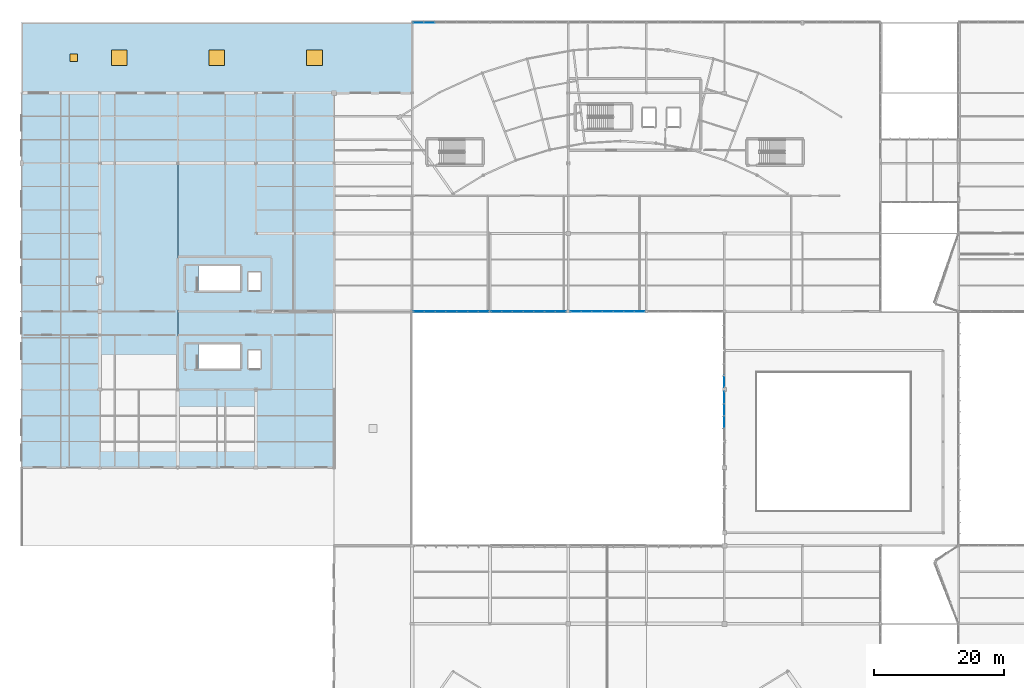
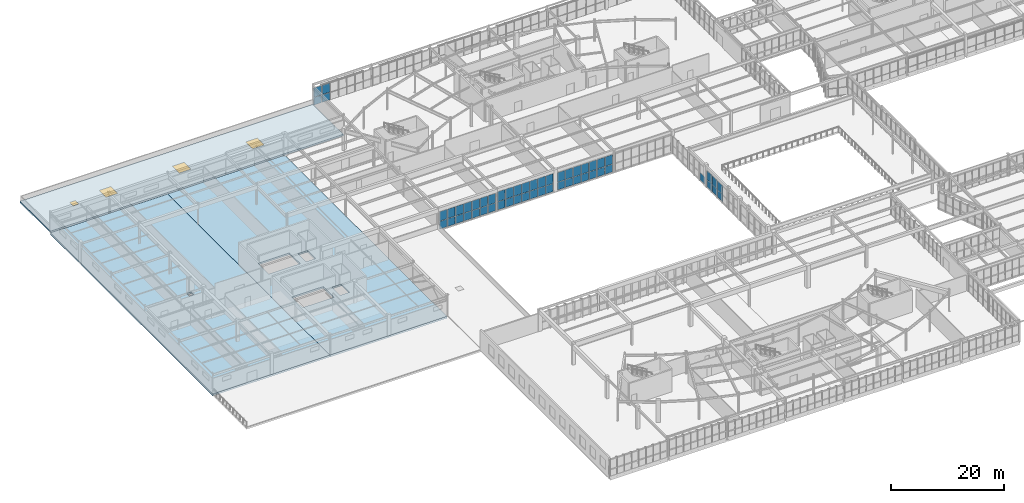
# One storey, part 116 of 186: 53 plates, 3 slabs, 3 windows, 1 door, 4 openings, 6 elements without a shape of their own.
"""IFC4 building model written with IfcOpenShell, lengths in metres."""

from ifc_helpers import new_model, si_unit, direction, frame, origin, origin_2d, place, context, subcontext, project, spatial, polyline, rectangle, outline, extrude, material, layer, layer_set, type_object, element, fill, aggregate, save


model = new_model("IFC4")

# Units and contexts
model_context = context("Model", 3, precision=1e-05, world=origin(), true_north=direction((0.0, 1.0)))
body_context = subcontext(model_context, "Body", "Model", "MODEL_VIEW")
ifc_project = project(units=[si_unit("LENGTHUNIT", "METRE"), si_unit("AREAUNIT", "SQUARE_METRE"), si_unit("VOLUMEUNIT", "CUBIC_METRE"), si_unit("PLANEANGLEUNIT", "RADIAN"), si_unit("MASSUNIT", "GRAM", prefix="KILO")], contexts=[model_context])

# Site, building, storey
site_placement = place(None, origin())
site = spatial("IfcSite", under=ifc_project, at=site_placement, CompositionType="ELEMENT")
building_placement = place(site_placement, origin())
building = spatial("IfcBuilding", under=site, at=building_placement, Name="Tarnwether General Hospital", CompositionType="ELEMENT")
storey_placement = place(building_placement, frame((0.0, 0.0, 9.60009765625)))
storey = spatial("IfcBuildingStorey", under=building, at=storey_placement, Name="L02", CompositionType="ELEMENT", Elevation=9.60009765625)

# Curtain wall, plates
ifc_material_1 = material(Name="Anodised aluminium", Category="aluminium")
ifc_layer_1 = layer(ifc_material_1, 0.159912109375)
ifc_layer_set_1 = layer_set([ifc_layer_1], Name="Anodised aluminium")
curtain_wall_type_1 = type_object("IfcCurtainWallType", Name="CW-17", PredefinedType="NOTDEFINED", material=ifc_layer_set_1)
curtain_wall_1_placement = place(storey_placement, origin())
curtain_wall_1 = element("IfcCurtainWall", 1, at=curtain_wall_1_placement, inside=storey, type_object=curtain_wall_type_1, Name="Curtain Wall CWG-L02-601_1260-0403", PredefinedType="NOTDEFINED")
ifc_material_2 = material(Name="Double glazed low-E glass", Category="glass")
ifc_layer_2 = layer(ifc_material_2, 0.028076171875)
ifc_layer_set_2 = layer_set([ifc_layer_2], Name="Double glazed low-E glass")
plate_type = type_object("IfcPlateType", Name="PT-CWP1", PredefinedType="CURTAIN_PANEL", material=ifc_layer_set_2)
plate_1_placement = place(storey_placement, frame((60.97119140625, 126.0, 0.06005859375), z_axis=(0.0, 0.0, 1.0), x_axis=(1.0, 0.0, 0.0)))
plate_1 = element("IfcPlate", 2, at=plate_1_placement, type_object=plate_type, Name="CW-17 panel 1.1", PredefinedType="CURTAIN_PANEL", context=body_context, shape_type="SweptSolid", body=[
    extrude(rectangle(XDim=1.59619140625, YDim=0.028076171875, at=origin_2d()), origin(), (0.0, 0.0, 1.0), 1.625732421875),
])
plate_2_placement = place(storey_placement, frame((60.97119140625, 126.0, 1.74560546875), z_axis=(0.0, 0.0, 1.0), x_axis=(1.0, 0.0, 0.0)))
plate_2 = element("IfcPlate", 3, at=plate_2_placement, type_object=plate_type, Name="CW-17 panel 1.2", PredefinedType="CURTAIN_PANEL", context=body_context, shape_type="SweptSolid", body=[
    extrude(rectangle(XDim=1.59619140625, YDim=0.028076171875, at=origin_2d()), origin(), (0.0, 0.0, 1.0), 2.007080078125),
])
plate_3_placement = place(storey_placement, frame((62.642333984375, 126.0, 0.06005859375), z_axis=(0.0, 0.0, 1.0), x_axis=(1.0, 0.0, 0.0)))
plate_3 = element("IfcPlate", 4, at=plate_3_placement, type_object=plate_type, Name="CW-17 panel 2.1", PredefinedType="CURTAIN_PANEL", context=body_context, shape_type="SweptSolid", body=[
    extrude(rectangle(XDim=1.626220703125, YDim=0.028076171875, at=origin_2d()), origin(), (0.0, 0.0, 1.0), 1.625732421875),
])
plate_4_placement = place(storey_placement, frame((62.642333984375, 126.0, 1.74560546875), z_axis=(0.0, 0.0, 1.0), x_axis=(1.0, 0.0, 0.0)))
plate_4 = element("IfcPlate", 5, at=plate_4_placement, type_object=plate_type, Name="CW-17 panel 2.2", PredefinedType="CURTAIN_PANEL", context=body_context, shape_type="SweptSolid", body=[
    extrude(rectangle(XDim=1.626220703125, YDim=0.028076171875, at=origin_2d()), origin(), (0.0, 0.0, 1.0), 2.007080078125),
])
aggregate(curtain_wall_1, [plate_1, plate_2, plate_3, plate_4])

ifc_material_3 = material(Name="Anodised aluminium", Category="aluminium")
ifc_layer_3 = layer(ifc_material_3, 0.179931640625)
ifc_layer_set_3 = layer_set([ifc_layer_3], Name="Anodised aluminium")
curtain_wall_type_2 = type_object("IfcCurtainWallType", Name="CW-07", PredefinedType="NOTDEFINED", material=ifc_layer_set_3)
curtain_wall_2_placement = place(storey_placement, origin())
curtain_wall_2 = element("IfcCurtainWall", 6, at=curtain_wall_2_placement, inside=storey, type_object=curtain_wall_type_2, Name="Curtain Wall CWG-L02-1080_618-0423", PredefinedType="NOTDEFINED")
plate_5_placement = place(storey_placement, frame((108.0, 64.614501953125, 0.06005859375), z_axis=(0.0, 0.0, 1.0), x_axis=(0.0, 1.0, 0.0)))
plate_5 = element("IfcPlate", 7, at=plate_5_placement, type_object=plate_type, Name="CW-07 panel 2.1", PredefinedType="CURTAIN_PANEL", context=body_context, shape_type="SweptSolid", body=[
    extrude(rectangle(XDim=1.81103515625, YDim=0.028076171875, at=origin_2d()), origin(), (0.0, 0.0, 1.0), 1.53662109375),
])
plate_6_placement = place(storey_placement, frame((108.0, 64.614501953125, 1.65673828125), z_axis=(0.0, 0.0, 1.0), x_axis=(0.0, 1.0, 0.0)))
plate_6 = element("IfcPlate", 8, at=plate_6_placement, type_object=plate_type, Name="CW-07 panel 2.2", PredefinedType="CURTAIN_PANEL", context=body_context, shape_type="SweptSolid", body=[
    extrude(rectangle(XDim=1.81103515625, YDim=0.028076171875, at=origin_2d()), origin(), (0.0, 0.0, 1.0), 1.898193359375),
])
plate_7_placement = place(storey_placement, frame((108.0, 66.485595703125, 0.06005859375), z_axis=(0.0, 0.0, 1.0), x_axis=(0.0, 1.0, 0.0)))
plate_7 = element("IfcPlate", 9, at=plate_7_placement, type_object=plate_type, Name="CW-07 panel 3.1", PredefinedType="CURTAIN_PANEL", context=body_context, shape_type="SweptSolid", body=[
    extrude(rectangle(XDim=1.81103515625, YDim=0.028076171875, at=origin_2d()), origin(), (0.0, 0.0, 1.0), 1.53662109375),
])
plate_8_placement = place(storey_placement, frame((108.0, 66.485595703125, 1.65673828125), z_axis=(0.0, 0.0, 1.0), x_axis=(0.0, 1.0, 0.0)))
plate_8 = element("IfcPlate", 10, at=plate_8_placement, type_object=plate_type, Name="CW-07 panel 3.2", PredefinedType="CURTAIN_PANEL", context=body_context, shape_type="SweptSolid", body=[
    extrude(rectangle(XDim=1.81103515625, YDim=0.028076171875, at=origin_2d()), origin(), (0.0, 0.0, 1.0), 1.898193359375),
])
plate_9_placement = place(storey_placement, frame((108.0, 68.341552734375, 0.06005859375), z_axis=(0.0, 0.0, 1.0), x_axis=(0.0, 1.0, 0.0)))
plate_9 = element("IfcPlate", 11, at=plate_9_placement, type_object=plate_type, Name="CW-07 panel 4.1", PredefinedType="CURTAIN_PANEL", context=body_context, shape_type="SweptSolid", body=[
    extrude(rectangle(XDim=1.781005859375, YDim=0.028076171875, at=origin_2d()), origin(), (0.0, 0.0, 1.0), 1.53662109375),
])
plate_10_placement = place(storey_placement, frame((108.0, 68.341552734375, 1.65673828125), z_axis=(0.0, 0.0, 1.0), x_axis=(0.0, 1.0, 0.0)))
plate_10 = element("IfcPlate", 12, at=plate_10_placement, type_object=plate_type, Name="CW-07 panel 4.2", PredefinedType="CURTAIN_PANEL", context=body_context, shape_type="SweptSolid", body=[
    extrude(rectangle(XDim=1.781005859375, YDim=0.028076171875, at=origin_2d()), origin(), (0.0, 0.0, 1.0), 1.898193359375),
])
aggregate(curtain_wall_2, [plate_5, plate_6, plate_7, plate_8, plate_9, plate_10])

# Curtain wall, plate
curtain_wall_3_placement = place(storey_placement, origin())
curtain_wall_3 = element("IfcCurtainWall", 13, at=curtain_wall_3_placement, inside=storey, type_object=curtain_wall_type_2, Name="Curtain Wall CWG-L02-1080_699-0424", PredefinedType="NOTDEFINED")
plate_11_placement = place(storey_placement, frame((108.0, 70.84033203125, 0.06005859375), z_axis=(0.0, 0.0, 1.0), x_axis=(0.0, 1.0, 0.0)))
plate_11 = element("IfcPlate", 14, at=plate_11_placement, type_object=plate_type, Name="CW-07 panel 1.1", PredefinedType="CURTAIN_PANEL", context=body_context, shape_type="SweptSolid", body=[
    extrude(rectangle(XDim=1.74462890625, YDim=0.028076171875, at=origin_2d()), origin(), (0.0, 0.0, 1.0), 1.53662109375),
])
aggregate(curtain_wall_3, [plate_11])

# Curtain wall, plates
ifc_material_4 = material(Name="Anodised aluminium", Category="aluminium")
ifc_layer_4 = layer(ifc_material_4, 0.159912109375)
ifc_layer_set_4 = layer_set([ifc_layer_4], Name="Anodised aluminium")
curtain_wall_type_3 = type_object("IfcCurtainWallType", Name="CW-23", PredefinedType="NOTDEFINED", material=ifc_layer_set_4)
curtain_wall_4_placement = place(storey_placement, origin())
curtain_wall_4 = element("IfcCurtainWall", 15, at=curtain_wall_4_placement, inside=storey, type_object=curtain_wall_type_3, Name="Curtain Wall CWG-L02-602_816-0426", PredefinedType="NOTDEFINED")
plate_12_placement = place(storey_placement, frame((61.054931640625, 81.60009765625, 0.06005859375), z_axis=(0.0, 0.0, 1.0), x_axis=(1.0, 0.0, 0.0)))
plate_12 = element("IfcPlate", 16, at=plate_12_placement, type_object=plate_type, Name="CW-23 panel 1.1", PredefinedType="CURTAIN_PANEL", context=body_context, shape_type="SweptSolid", body=[
    extrude(rectangle(XDim=1.573974609375, YDim=0.028076171875, at=origin_2d()), origin(), (0.0, 0.0, 1.0), 1.658203125),
])
plate_13_placement = place(storey_placement, frame((61.054931640625, 81.60009765625, 1.7783203125), z_axis=(0.0, 0.0, 1.0), x_axis=(1.0, 0.0, 0.0)))
plate_13 = element("IfcPlate", 17, at=plate_13_placement, type_object=plate_type, Name="CW-23 panel 1.2", PredefinedType="CURTAIN_PANEL", context=body_context, shape_type="SweptSolid", body=[
    extrude(rectangle(XDim=1.573974609375, YDim=0.028076171875, at=origin_2d()), origin(), (0.0, 0.0, 1.0), 2.046630859375),
])
plate_14_placement = place(storey_placement, frame((62.703857421875, 81.60009765625, 0.06005859375), z_axis=(0.0, 0.0, 1.0), x_axis=(1.0, 0.0, 0.0)))
plate_14 = element("IfcPlate", 18, at=plate_14_placement, type_object=plate_type, Name="CW-23 panel 2.1", PredefinedType="CURTAIN_PANEL", context=body_context, shape_type="SweptSolid", body=[
    extrude(rectangle(XDim=1.603759765625, YDim=0.028076171875, at=origin_2d()), origin(), (0.0, 0.0, 1.0), 1.658203125),
])
plate_15_placement = place(storey_placement, frame((62.703857421875, 81.60009765625, 1.7783203125), z_axis=(0.0, 0.0, 1.0), x_axis=(1.0, 0.0, 0.0)))
plate_15 = element("IfcPlate", 19, at=plate_15_placement, type_object=plate_type, Name="CW-23 panel 2.2", PredefinedType="CURTAIN_PANEL", context=body_context, shape_type="SweptSolid", body=[
    extrude(rectangle(XDim=1.603759765625, YDim=0.028076171875, at=origin_2d()), origin(), (0.0, 0.0, 1.0), 2.046630859375),
])
plate_16_placement = place(storey_placement, frame((64.36767578125, 81.60009765625, 0.06005859375), z_axis=(0.0, 0.0, 1.0), x_axis=(1.0, 0.0, 0.0)))
plate_16 = element("IfcPlate", 20, at=plate_16_placement, type_object=plate_type, Name="CW-23 panel 3.1", PredefinedType="CURTAIN_PANEL", context=body_context, shape_type="SweptSolid", body=[
    extrude(rectangle(XDim=1.603759765625, YDim=0.028076171875, at=origin_2d()), origin(), (0.0, 0.0, 1.0), 1.658203125),
])
plate_17_placement = place(storey_placement, frame((64.36767578125, 81.60009765625, 1.7783203125), z_axis=(0.0, 0.0, 1.0), x_axis=(1.0, 0.0, 0.0)))
plate_17 = element("IfcPlate", 21, at=plate_17_placement, type_object=plate_type, Name="CW-23 panel 3.2", PredefinedType="CURTAIN_PANEL", context=body_context, shape_type="SweptSolid", body=[
    extrude(rectangle(XDim=1.603759765625, YDim=0.028076171875, at=origin_2d()), origin(), (0.0, 0.0, 1.0), 2.046630859375),
])
plate_18_placement = place(storey_placement, frame((66.031494140625, 81.60009765625, 0.06005859375), z_axis=(0.0, 0.0, 1.0), x_axis=(1.0, 0.0, 0.0)))
plate_18 = element("IfcPlate", 22, at=plate_18_placement, type_object=plate_type, Name="CW-23 panel 4.1", PredefinedType="CURTAIN_PANEL", context=body_context, shape_type="SweptSolid", body=[
    extrude(rectangle(XDim=1.603759765625, YDim=0.028076171875, at=origin_2d()), origin(), (0.0, 0.0, 1.0), 1.658203125),
])
plate_19_placement = place(storey_placement, frame((66.031494140625, 81.60009765625, 1.7783203125), z_axis=(0.0, 0.0, 1.0), x_axis=(1.0, 0.0, 0.0)))
plate_19 = element("IfcPlate", 23, at=plate_19_placement, type_object=plate_type, Name="CW-23 panel 4.2", PredefinedType="CURTAIN_PANEL", context=body_context, shape_type="SweptSolid", body=[
    extrude(rectangle(XDim=1.603759765625, YDim=0.028076171875, at=origin_2d()), origin(), (0.0, 0.0, 1.0), 2.046630859375),
])
plate_20_placement = place(storey_placement, frame((67.6953125, 81.60009765625, 0.06005859375), z_axis=(0.0, 0.0, 1.0), x_axis=(1.0, 0.0, 0.0)))
plate_20 = element("IfcPlate", 24, at=plate_20_placement, type_object=plate_type, Name="CW-23 panel 5.1", PredefinedType="CURTAIN_PANEL", context=body_context, shape_type="SweptSolid", body=[
    extrude(rectangle(XDim=1.603759765625, YDim=0.028076171875, at=origin_2d()), origin(), (0.0, 0.0, 1.0), 1.658203125),
])
plate_21_placement = place(storey_placement, frame((67.6953125, 81.60009765625, 1.7783203125), z_axis=(0.0, 0.0, 1.0), x_axis=(1.0, 0.0, 0.0)))
plate_21 = element("IfcPlate", 25, at=plate_21_placement, type_object=plate_type, Name="CW-23 panel 5.2", PredefinedType="CURTAIN_PANEL", context=body_context, shape_type="SweptSolid", body=[
    extrude(rectangle(XDim=1.603759765625, YDim=0.028076171875, at=origin_2d()), origin(), (0.0, 0.0, 1.0), 2.046630859375),
])
plate_22_placement = place(storey_placement, frame((69.359130859375, 81.60009765625, 0.06005859375), z_axis=(0.0, 0.0, 1.0), x_axis=(1.0, 0.0, 0.0)))
plate_22 = element("IfcPlate", 26, at=plate_22_placement, type_object=plate_type, Name="CW-23 panel 6.1", PredefinedType="CURTAIN_PANEL", context=body_context, shape_type="SweptSolid", body=[
    extrude(rectangle(XDim=1.603759765625, YDim=0.028076171875, at=origin_2d()), origin(), (0.0, 0.0, 1.0), 1.658203125),
])
plate_23_placement = place(storey_placement, frame((69.359130859375, 81.60009765625, 1.7783203125), z_axis=(0.0, 0.0, 1.0), x_axis=(1.0, 0.0, 0.0)))
plate_23 = element("IfcPlate", 27, at=plate_23_placement, type_object=plate_type, Name="CW-23 panel 6.2", PredefinedType="CURTAIN_PANEL", context=body_context, shape_type="SweptSolid", body=[
    extrude(rectangle(XDim=1.603759765625, YDim=0.028076171875, at=origin_2d()), origin(), (0.0, 0.0, 1.0), 2.046630859375),
])
plate_24_placement = place(storey_placement, frame((71.008056640625, 81.60009765625, 0.06005859375), z_axis=(0.0, 0.0, 1.0), x_axis=(1.0, 0.0, 0.0)))
plate_24 = element("IfcPlate", 28, at=plate_24_placement, type_object=plate_type, Name="CW-23 panel 7.1", PredefinedType="CURTAIN_PANEL", context=body_context, shape_type="SweptSolid", body=[
    extrude(rectangle(XDim=1.573974609375, YDim=0.028076171875, at=origin_2d()), origin(), (0.0, 0.0, 1.0), 1.658203125),
])
plate_25_placement = place(storey_placement, frame((71.008056640625, 81.60009765625, 1.7783203125), z_axis=(0.0, 0.0, 1.0), x_axis=(1.0, 0.0, 0.0)))
plate_25 = element("IfcPlate", 29, at=plate_25_placement, type_object=plate_type, Name="CW-23 panel 7.2", PredefinedType="CURTAIN_PANEL", context=body_context, shape_type="SweptSolid", body=[
    extrude(rectangle(XDim=1.573974609375, YDim=0.028076171875, at=origin_2d()), origin(), (0.0, 0.0, 1.0), 2.046630859375),
])
aggregate(curtain_wall_4, [plate_12, plate_13, plate_14, plate_15, plate_16, plate_17, plate_18, plate_19, plate_20, plate_21, plate_22, plate_23, plate_24, plate_25])

curtain_wall_5_placement = place(storey_placement, origin())
curtain_wall_5 = element("IfcCurtainWall", 30, at=curtain_wall_5_placement, inside=storey, type_object=curtain_wall_type_3, Name="Curtain Wall CWG-L02-721_816-0427", PredefinedType="NOTDEFINED")
plate_26_placement = place(storey_placement, frame((72.981201171875, 81.60009765625, 0.06005859375), z_axis=(0.0, 0.0, 1.0), x_axis=(1.0, 0.0, 0.0)))
plate_26 = element("IfcPlate", 31, at=plate_26_placement, type_object=plate_type, Name="CW-23 panel 1.1", PredefinedType="CURTAIN_PANEL", context=body_context, shape_type="SweptSolid", body=[
    extrude(rectangle(XDim=1.552490234375, YDim=0.028076171875, at=origin_2d()), origin(), (0.0, 0.0, 1.0), 1.7255859375),
])
plate_27_placement = place(storey_placement, frame((72.981201171875, 81.60009765625, 1.845458984375), z_axis=(0.0, 0.0, 1.0), x_axis=(1.0, 0.0, 0.0)))
plate_27 = element("IfcPlate", 32, at=plate_27_placement, type_object=plate_type, Name="CW-23 panel 1.2", PredefinedType="CURTAIN_PANEL", context=body_context, shape_type="SweptSolid", body=[
    extrude(rectangle(XDim=1.552490234375, YDim=0.028076171875, at=origin_2d()), origin(), (0.0, 0.0, 1.0), 2.12939453125),
])
plate_28_placement = place(storey_placement, frame((74.608642578125, 81.60009765625, 0.06005859375), z_axis=(0.0, 0.0, 1.0), x_axis=(1.0, 0.0, 0.0)))
plate_28 = element("IfcPlate", 33, at=plate_28_placement, type_object=plate_type, Name="CW-23 panel 2.1", PredefinedType="CURTAIN_PANEL", context=body_context, shape_type="SweptSolid", body=[
    extrude(rectangle(XDim=1.58251953125, YDim=0.028076171875, at=origin_2d()), origin(), (0.0, 0.0, 1.0), 1.7255859375),
])
plate_29_placement = place(storey_placement, frame((74.608642578125, 81.60009765625, 1.845458984375), z_axis=(0.0, 0.0, 1.0), x_axis=(1.0, 0.0, 0.0)))
plate_29 = element("IfcPlate", 34, at=plate_29_placement, type_object=plate_type, Name="CW-23 panel 2.2", PredefinedType="CURTAIN_PANEL", context=body_context, shape_type="SweptSolid", body=[
    extrude(rectangle(XDim=1.58251953125, YDim=0.028076171875, at=origin_2d()), origin(), (0.0, 0.0, 1.0), 2.12939453125),
])
plate_30_placement = place(storey_placement, frame((76.2509765625, 81.60009765625, 0.06005859375), z_axis=(0.0, 0.0, 1.0), x_axis=(1.0, 0.0, 0.0)))
plate_30 = element("IfcPlate", 35, at=plate_30_placement, type_object=plate_type, Name="CW-23 panel 3.1", PredefinedType="CURTAIN_PANEL", context=body_context, shape_type="SweptSolid", body=[
    extrude(rectangle(XDim=1.58251953125, YDim=0.028076171875, at=origin_2d()), origin(), (0.0, 0.0, 1.0), 1.7255859375),
])
plate_31_placement = place(storey_placement, frame((76.2509765625, 81.60009765625, 1.845458984375), z_axis=(0.0, 0.0, 1.0), x_axis=(1.0, 0.0, 0.0)))
plate_31 = element("IfcPlate", 36, at=plate_31_placement, type_object=plate_type, Name="CW-23 panel 3.2", PredefinedType="CURTAIN_PANEL", context=body_context, shape_type="SweptSolid", body=[
    extrude(rectangle(XDim=1.58251953125, YDim=0.028076171875, at=origin_2d()), origin(), (0.0, 0.0, 1.0), 2.12939453125),
])
plate_32_placement = place(storey_placement, frame((77.8935546875, 81.60009765625, 0.06005859375), z_axis=(0.0, 0.0, 1.0), x_axis=(1.0, 0.0, 0.0)))
plate_32 = element("IfcPlate", 37, at=plate_32_placement, type_object=plate_type, Name="CW-23 panel 4.1", PredefinedType="CURTAIN_PANEL", context=body_context, shape_type="SweptSolid", body=[
    extrude(rectangle(XDim=1.58251953125, YDim=0.028076171875, at=origin_2d()), origin(), (0.0, 0.0, 1.0), 1.7255859375),
])
plate_33_placement = place(storey_placement, frame((77.8935546875, 81.60009765625, 1.845458984375), z_axis=(0.0, 0.0, 1.0), x_axis=(1.0, 0.0, 0.0)))
plate_33 = element("IfcPlate", 38, at=plate_33_placement, type_object=plate_type, Name="CW-23 panel 4.2", PredefinedType="CURTAIN_PANEL", context=body_context, shape_type="SweptSolid", body=[
    extrude(rectangle(XDim=1.58251953125, YDim=0.028076171875, at=origin_2d()), origin(), (0.0, 0.0, 1.0), 2.12939453125),
])
plate_34_placement = place(storey_placement, frame((79.535888671875, 81.60009765625, 0.06005859375), z_axis=(0.0, 0.0, 1.0), x_axis=(1.0, 0.0, 0.0)))
plate_34 = element("IfcPlate", 39, at=plate_34_placement, type_object=plate_type, Name="CW-23 panel 5.1", PredefinedType="CURTAIN_PANEL", context=body_context, shape_type="SweptSolid", body=[
    extrude(rectangle(XDim=1.58251953125, YDim=0.028076171875, at=origin_2d()), origin(), (0.0, 0.0, 1.0), 1.7255859375),
])
plate_35_placement = place(storey_placement, frame((79.535888671875, 81.60009765625, 1.845458984375), z_axis=(0.0, 0.0, 1.0), x_axis=(1.0, 0.0, 0.0)))
plate_35 = element("IfcPlate", 40, at=plate_35_placement, type_object=plate_type, Name="CW-23 panel 5.2", PredefinedType="CURTAIN_PANEL", context=body_context, shape_type="SweptSolid", body=[
    extrude(rectangle(XDim=1.58251953125, YDim=0.028076171875, at=origin_2d()), origin(), (0.0, 0.0, 1.0), 2.12939453125),
])
plate_36_placement = place(storey_placement, frame((81.178466796875, 81.60009765625, 0.06005859375), z_axis=(0.0, 0.0, 1.0), x_axis=(1.0, 0.0, 0.0)))
plate_36 = element("IfcPlate", 41, at=plate_36_placement, type_object=plate_type, Name="CW-23 panel 6.1", PredefinedType="CURTAIN_PANEL", context=body_context, shape_type="SweptSolid", body=[
    extrude(rectangle(XDim=1.58251953125, YDim=0.028076171875, at=origin_2d()), origin(), (0.0, 0.0, 1.0), 1.7255859375),
])
plate_37_placement = place(storey_placement, frame((81.178466796875, 81.60009765625, 1.845458984375), z_axis=(0.0, 0.0, 1.0), x_axis=(1.0, 0.0, 0.0)))
plate_37 = element("IfcPlate", 42, at=plate_37_placement, type_object=plate_type, Name="CW-23 panel 6.2", PredefinedType="CURTAIN_PANEL", context=body_context, shape_type="SweptSolid", body=[
    extrude(rectangle(XDim=1.58251953125, YDim=0.028076171875, at=origin_2d()), origin(), (0.0, 0.0, 1.0), 2.12939453125),
])
plate_38_placement = place(storey_placement, frame((82.8056640625, 81.60009765625, 0.06005859375), z_axis=(0.0, 0.0, 1.0), x_axis=(1.0, 0.0, 0.0)))
plate_38 = element("IfcPlate", 43, at=plate_38_placement, type_object=plate_type, Name="CW-23 panel 7.1", PredefinedType="CURTAIN_PANEL", context=body_context, shape_type="SweptSolid", body=[
    extrude(rectangle(XDim=1.552490234375, YDim=0.028076171875, at=origin_2d()), origin(), (0.0, 0.0, 1.0), 1.7255859375),
])
plate_39_placement = place(storey_placement, frame((82.8056640625, 81.60009765625, 1.845458984375), z_axis=(0.0, 0.0, 1.0), x_axis=(1.0, 0.0, 0.0)))
plate_39 = element("IfcPlate", 44, at=plate_39_placement, type_object=plate_type, Name="CW-23 panel 7.2", PredefinedType="CURTAIN_PANEL", context=body_context, shape_type="SweptSolid", body=[
    extrude(rectangle(XDim=1.552490234375, YDim=0.028076171875, at=origin_2d()), origin(), (0.0, 0.0, 1.0), 2.12939453125),
])
aggregate(curtain_wall_5, [plate_26, plate_27, plate_28, plate_29, plate_30, plate_31, plate_32, plate_33, plate_34, plate_35, plate_36, plate_37, plate_38, plate_39])

curtain_wall_6_placement = place(storey_placement, origin())
curtain_wall_6 = element("IfcCurtainWall", 45, at=curtain_wall_6_placement, inside=storey, type_object=curtain_wall_type_3, Name="Curtain Wall CWG-L02-844_816-0428", PredefinedType="NOTDEFINED")
plate_40_placement = place(storey_placement, frame((85.189453125, 81.60009765625, 0.06005859375), z_axis=(0.0, 0.0, 1.0), x_axis=(1.0, 0.0, 0.0)))
plate_40 = element("IfcPlate", 46, at=plate_40_placement, type_object=plate_type, Name="CW-23 panel 1.1", PredefinedType="CURTAIN_PANEL", context=body_context, shape_type="SweptSolid", body=[
    extrude(rectangle(XDim=1.54296875, YDim=0.028076171875, at=origin_2d()), origin(), (0.0, 0.0, 1.0), 1.658203125),
])
plate_41_placement = place(storey_placement, frame((85.189453125, 81.60009765625, 1.7783203125), z_axis=(0.0, 0.0, 1.0), x_axis=(1.0, 0.0, 0.0)))
plate_41 = element("IfcPlate", 47, at=plate_41_placement, type_object=plate_type, Name="CW-23 panel 1.2", PredefinedType="CURTAIN_PANEL", context=body_context, shape_type="SweptSolid", body=[
    extrude(rectangle(XDim=1.54296875, YDim=0.028076171875, at=origin_2d()), origin(), (0.0, 0.0, 1.0), 2.046630859375),
])
plate_42_placement = place(storey_placement, frame((86.8076171875, 81.60009765625, 0.06005859375), z_axis=(0.0, 0.0, 1.0), x_axis=(1.0, 0.0, 0.0)))
plate_42 = element("IfcPlate", 48, at=plate_42_placement, type_object=plate_type, Name="CW-23 panel 2.1", PredefinedType="CURTAIN_PANEL", context=body_context, shape_type="SweptSolid", body=[
    extrude(rectangle(XDim=1.572998046875, YDim=0.028076171875, at=origin_2d()), origin(), (0.0, 0.0, 1.0), 1.658203125),
])
plate_43_placement = place(storey_placement, frame((86.8076171875, 81.60009765625, 1.7783203125), z_axis=(0.0, 0.0, 1.0), x_axis=(1.0, 0.0, 0.0)))
plate_43 = element("IfcPlate", 49, at=plate_43_placement, type_object=plate_type, Name="CW-23 panel 2.2", PredefinedType="CURTAIN_PANEL", context=body_context, shape_type="SweptSolid", body=[
    extrude(rectangle(XDim=1.572998046875, YDim=0.028076171875, at=origin_2d()), origin(), (0.0, 0.0, 1.0), 2.046630859375),
])
plate_44_placement = place(storey_placement, frame((88.4404296875, 81.60009765625, 0.06005859375), z_axis=(0.0, 0.0, 1.0), x_axis=(1.0, 0.0, 0.0)))
plate_44 = element("IfcPlate", 50, at=plate_44_placement, type_object=plate_type, Name="CW-23 panel 3.1", PredefinedType="CURTAIN_PANEL", context=body_context, shape_type="SweptSolid", body=[
    extrude(rectangle(XDim=1.572998046875, YDim=0.028076171875, at=origin_2d()), origin(), (0.0, 0.0, 1.0), 1.658203125),
])
plate_45_placement = place(storey_placement, frame((88.4404296875, 81.60009765625, 1.7783203125), z_axis=(0.0, 0.0, 1.0), x_axis=(1.0, 0.0, 0.0)))
plate_45 = element("IfcPlate", 51, at=plate_45_placement, type_object=plate_type, Name="CW-23 panel 3.2", PredefinedType="CURTAIN_PANEL", context=body_context, shape_type="SweptSolid", body=[
    extrude(rectangle(XDim=1.572998046875, YDim=0.028076171875, at=origin_2d()), origin(), (0.0, 0.0, 1.0), 2.046630859375),
])
plate_46_placement = place(storey_placement, frame((90.073486328125, 81.60009765625, 0.06005859375), z_axis=(0.0, 0.0, 1.0), x_axis=(1.0, 0.0, 0.0)))
plate_46 = element("IfcPlate", 52, at=plate_46_placement, type_object=plate_type, Name="CW-23 panel 4.1", PredefinedType="CURTAIN_PANEL", context=body_context, shape_type="SweptSolid", body=[
    extrude(rectangle(XDim=1.572998046875, YDim=0.028076171875, at=origin_2d()), origin(), (0.0, 0.0, 1.0), 1.658203125),
])
plate_47_placement = place(storey_placement, frame((90.073486328125, 81.60009765625, 1.7783203125), z_axis=(0.0, 0.0, 1.0), x_axis=(1.0, 0.0, 0.0)))
plate_47 = element("IfcPlate", 53, at=plate_47_placement, type_object=plate_type, Name="CW-23 panel 4.2", PredefinedType="CURTAIN_PANEL", context=body_context, shape_type="SweptSolid", body=[
    extrude(rectangle(XDim=1.572998046875, YDim=0.028076171875, at=origin_2d()), origin(), (0.0, 0.0, 1.0), 2.046630859375),
])
plate_48_placement = place(storey_placement, frame((91.70654296875, 81.60009765625, 0.06005859375), z_axis=(0.0, 0.0, 1.0), x_axis=(1.0, 0.0, 0.0)))
plate_48 = element("IfcPlate", 54, at=plate_48_placement, type_object=plate_type, Name="CW-23 panel 5.1", PredefinedType="CURTAIN_PANEL", context=body_context, shape_type="SweptSolid", body=[
    extrude(rectangle(XDim=1.572998046875, YDim=0.028076171875, at=origin_2d()), origin(), (0.0, 0.0, 1.0), 1.658203125),
])
plate_49_placement = place(storey_placement, frame((91.70654296875, 81.60009765625, 1.7783203125), z_axis=(0.0, 0.0, 1.0), x_axis=(1.0, 0.0, 0.0)))
plate_49 = element("IfcPlate", 55, at=plate_49_placement, type_object=plate_type, Name="CW-23 panel 5.2", PredefinedType="CURTAIN_PANEL", context=body_context, shape_type="SweptSolid", body=[
    extrude(rectangle(XDim=1.572998046875, YDim=0.028076171875, at=origin_2d()), origin(), (0.0, 0.0, 1.0), 2.046630859375),
])
plate_50_placement = place(storey_placement, frame((93.339599609375, 81.60009765625, 0.06005859375), z_axis=(0.0, 0.0, 1.0), x_axis=(1.0, 0.0, 0.0)))
plate_50 = element("IfcPlate", 56, at=plate_50_placement, type_object=plate_type, Name="CW-23 panel 6.1", PredefinedType="CURTAIN_PANEL", context=body_context, shape_type="SweptSolid", body=[
    extrude(rectangle(XDim=1.572998046875, YDim=0.028076171875, at=origin_2d()), origin(), (0.0, 0.0, 1.0), 1.658203125),
])
plate_51_placement = place(storey_placement, frame((93.339599609375, 81.60009765625, 1.7783203125), z_axis=(0.0, 0.0, 1.0), x_axis=(1.0, 0.0, 0.0)))
plate_51 = element("IfcPlate", 57, at=plate_51_placement, type_object=plate_type, Name="CW-23 panel 6.2", PredefinedType="CURTAIN_PANEL", context=body_context, shape_type="SweptSolid", body=[
    extrude(rectangle(XDim=1.572998046875, YDim=0.028076171875, at=origin_2d()), origin(), (0.0, 0.0, 1.0), 2.046630859375),
])
plate_52_placement = place(storey_placement, frame((94.95751953125, 81.60009765625, 0.06005859375), z_axis=(0.0, 0.0, 1.0), x_axis=(1.0, 0.0, 0.0)))
plate_52 = element("IfcPlate", 58, at=plate_52_placement, type_object=plate_type, Name="CW-23 panel 7.1", PredefinedType="CURTAIN_PANEL", context=body_context, shape_type="SweptSolid", body=[
    extrude(rectangle(XDim=1.54296875, YDim=0.028076171875, at=origin_2d()), origin(), (0.0, 0.0, 1.0), 1.658203125),
])
plate_53_placement = place(storey_placement, frame((94.95751953125, 81.60009765625, 1.7783203125), z_axis=(0.0, 0.0, 1.0), x_axis=(1.0, 0.0, 0.0)))
plate_53 = element("IfcPlate", 59, at=plate_53_placement, type_object=plate_type, Name="CW-23 panel 7.2", PredefinedType="CURTAIN_PANEL", context=body_context, shape_type="SweptSolid", body=[
    extrude(rectangle(XDim=1.54296875, YDim=0.028076171875, at=origin_2d()), origin(), (0.0, 0.0, 1.0), 2.046630859375),
])
aggregate(curtain_wall_6, [plate_40, plate_41, plate_42, plate_43, plate_44, plate_45, plate_46, plate_47, plate_48, plate_49, plate_50, plate_51, plate_52, plate_53])

# Slabs
ifc_material_5 = material(Name="Concrete 40 MPa", Category="concrete")
ifc_layer_5 = layer(ifc_material_5, 0.3701171875)
ifc_layer_set_5 = layer_set([ifc_layer_5], Name="Concrete 40 MPa")
slab_type_1 = type_object("IfcSlabType", Name="SL-FL260", PredefinedType="FLOOR", material=ifc_layer_set_5)
slab_1_placement = place(storey_placement, frame((0.0, 0.0, -0.3701171875)))
element("IfcSlab", 60, at=slab_1_placement, inside=storey, type_object=slab_type_1, Name="L02 Operating Suite West Floor SL-L02-V3A", PredefinedType="FLOOR", context=body_context, shape_type="SweptSolid", body=[
    extrude(outline(polyline([(0.0, 115.199951171875), (24.0, 115.199951171875), (24.0, 57.60009765625), (0.0, 57.60009765625), (0.0, 115.199951171875)]), holes=[polyline([(12.449951171875, 86.85009765625), (11.550048828125, 86.85009765625), (11.550048828125, 85.949951171875), (12.449951171875, 85.949951171875), (12.449951171875, 86.85009765625)])]), origin(), (0.0, 0.0, 1.0), 0.3701171875),
])
slab_2_placement = place(storey_placement, frame((0.0, 0.0, -0.3701171875)))
element("IfcSlab", 61, at=slab_2_placement, inside=storey, type_object=slab_type_1, Name="L02 Operating Suite East Floor SL-L02-V3B", PredefinedType="FLOOR", context=body_context, shape_type="SweptSolid", body=[
    extrude(outline(polyline([(24.0, 57.60009765625), (24.0, 115.199951171875), (48.0, 115.199951171875), (48.0, 57.60009765625), (24.0, 57.60009765625)]), holes=[polyline([(36.780029296875, 75.6298828125), (34.820068359375, 75.6298828125), (34.820068359375, 72.77001953125), (36.780029296875, 72.77001953125), (36.780029296875, 75.6298828125)]), polyline([(33.60009765625, 76.60009765625), (27.179931640625, 76.60009765625), (27.179931640625, 72.800048828125), (33.60009765625, 72.800048828125), (33.60009765625, 76.60009765625)]), polyline([(36.780029296875, 87.6298828125), (34.820068359375, 87.6298828125), (34.820068359375, 84.77001953125), (36.780029296875, 84.77001953125), (36.780029296875, 87.6298828125)]), polyline([(33.60009765625, 88.60009765625), (27.179931640625, 88.60009765625), (27.179931640625, 84.800048828125), (33.60009765625, 84.800048828125), (33.60009765625, 88.60009765625)])]), origin(), (0.0, 0.0, 1.0), 0.3701171875),
])

# Slab, openings, door, windows
ifc_material_6 = material(Name="Concrete 40 MPa", Category="concrete")
ifc_layer_6 = layer(ifc_material_6, 0.330078125)
ifc_layer_set_6 = layer_set([ifc_layer_6], Name="Concrete 40 MPa")
slab_type_2 = type_object("IfcSlabType", Name="SL-RF200", PredefinedType="ROOF", material=ifc_layer_set_6)
slab_3_placement = place(storey_placement, origin())
slab_3 = element("IfcSlab", 62, at=slab_3_placement, inside=storey, type_object=slab_type_2, Name="L02 North-West Podium Roof SL-L02-RFNW", PredefinedType="ROOF", context=body_context, shape_type="SweptSolid", body=[
    extrude(outline(polyline([(60.0, 115.199951171875), (60.0, 126.0), (0.0, 126.0), (0.0, 115.199951171875), (60.0, 115.199951171875)])), origin(), (0.0, 0.0, 1.0), 0.329833984375),
])
opening_1_placement = place(slab_3_placement, frame((15.0, 120.60009765625, 0.0)))
opening_1 = element("IfcOpeningElement", 63, at=opening_1_placement, cuts=slab_3, Name="Opening SK-01", PredefinedType="OPENING", context=body_context, shape_type="SweptSolid", body=[
    extrude(rectangle(XDim=2.39990234375, YDim=2.39990234375, at=origin_2d()), origin(), (0.0, 0.0, 1.0), 0.329833984375),
])
opening_2_placement = place(slab_3_placement, frame((30.0, 120.60009765625, 0.0)))
opening_2 = element("IfcOpeningElement", 64, at=opening_2_placement, cuts=slab_3, Name="Opening SK-01", PredefinedType="OPENING", context=body_context, shape_type="SweptSolid", body=[
    extrude(rectangle(XDim=2.39990234375, YDim=2.39990234375, at=origin_2d()), origin(), (0.0, 0.0, 1.0), 0.329833984375),
])
opening_3_placement = place(slab_3_placement, frame((45.0, 120.60009765625, 0.0)))
opening_3 = element("IfcOpeningElement", 65, at=opening_3_placement, cuts=slab_3, Name="Opening SK-01", PredefinedType="OPENING", context=body_context, shape_type="SweptSolid", body=[
    extrude(rectangle(XDim=2.39990234375, YDim=2.39990234375, at=origin_2d()), origin(), (0.0, 0.0, 1.0), 0.329833984375),
])
opening_4_placement = place(slab_3_placement, frame((8.0, 120.60009765625, 0.0)))
opening_4 = element("IfcOpeningElement", 66, at=opening_4_placement, cuts=slab_3, Name="Opening RH-01", PredefinedType="OPENING", context=body_context, shape_type="SweptSolid", body=[
    extrude(rectangle(XDim=1.199951171875, YDim=1.199951171875, at=origin_2d()), origin(), (0.0, 0.0, 1.0), 0.329833984375),
])
ifc_material_7 = material(Name="Anodised aluminium", Category="aluminium")
door_type = type_object("IfcDoorType", Name="DR-HT01", OperationType="NOTDEFINED", PredefinedType="TRAPDOOR", material=ifc_material_7)
door_placement = place(opening_4_placement, frame((0.0, 0.0, 0.27978515625)))
door = element("IfcDoor", 67, at=door_placement, inside=storey, type_object=door_type, Name="Roof Maintenance Access Hatch 001", OperationType="SINGLE_SWING_LEFT", OverallHeight=1.199951171875, OverallWidth=1.199951171875, PredefinedType="TRAPDOOR", context=body_context, shape_type="SweptSolid", body=[
    extrude(rectangle(XDim=1.199951171875, YDim=1.199951171875, at=origin_2d()), origin(), (0.0, 0.0, 1.0), 0.050048828125),
])
fill(opening_4, door)
ifc_material_8 = material(Name="Double glazed low-E glass", Category="glass")
window_type = type_object("IfcWindowType", Name="WN-SK1", PartitioningType="SINGLE_PANEL", PredefinedType="SKYLIGHT", material=ifc_material_8)
window_1_placement = place(opening_1_placement, frame((0.0, 0.0, 0.27978515625)))
window_1 = element("IfcWindow", 68, at=window_1_placement, inside=storey, type_object=window_type, Name="Flat Roof Skylight 001", OverallHeight=2.39990234375, OverallWidth=2.39990234375, PartitioningType="SINGLE_PANEL", PredefinedType="SKYLIGHT", context=body_context, shape_type="SweptSolid", body=[
    extrude(rectangle(XDim=2.39990234375, YDim=2.39990234375, at=origin_2d()), origin(), (0.0, 0.0, 1.0), 0.050048828125),
])
fill(opening_1, window_1)
window_2_placement = place(opening_2_placement, frame((0.0, 0.0, 0.27978515625)))
window_2 = element("IfcWindow", 69, at=window_2_placement, inside=storey, type_object=window_type, Name="Flat Roof Skylight 002", OverallHeight=2.39990234375, OverallWidth=2.39990234375, PartitioningType="SINGLE_PANEL", PredefinedType="SKYLIGHT", context=body_context, shape_type="SweptSolid", body=[
    extrude(rectangle(XDim=2.39990234375, YDim=2.39990234375, at=origin_2d()), origin(), (0.0, 0.0, 1.0), 0.050048828125),
])
fill(opening_2, window_2)
window_3_placement = place(opening_3_placement, frame((0.0, 0.0, 0.27978515625)))
window_3 = element("IfcWindow", 70, at=window_3_placement, inside=storey, type_object=window_type, Name="Flat Roof Skylight 003", OverallHeight=2.39990234375, OverallWidth=2.39990234375, PartitioningType="SINGLE_PANEL", PredefinedType="SKYLIGHT", context=body_context, shape_type="SweptSolid", body=[
    extrude(rectangle(XDim=2.39990234375, YDim=2.39990234375, at=origin_2d()), origin(), (0.0, 0.0, 1.0), 0.050048828125),
])
fill(opening_3, window_3)

save(model, "model.ifc")
